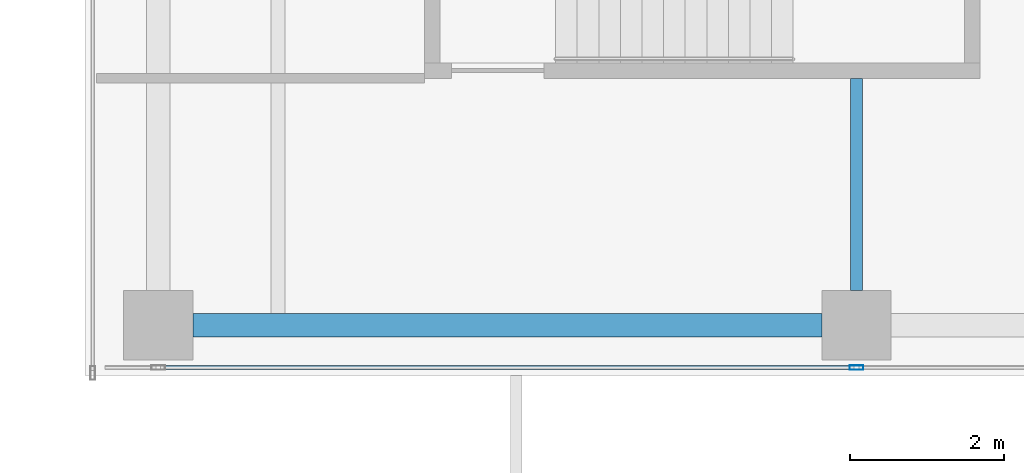
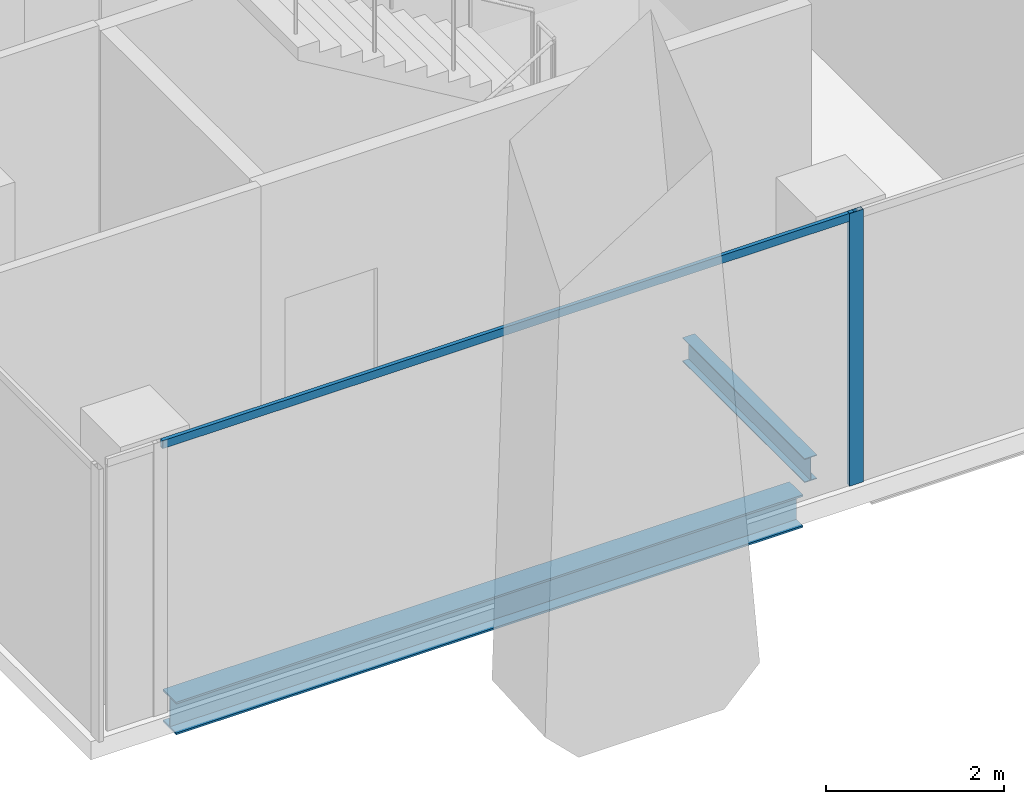
# One storey, part 3 of 36: 2 beams, 2 members, 1 element without a shape of its own.
"""IFC4 building model written with IfcOpenShell, lengths in metres."""

import ifcopenshell
import ifcopenshell.guid

model = None  # the IFC model being written
_history = None  # IfcOwnerHistory: only IFC2X3 demands one
_inside = {}  # id of a spatial element -> (the spatial element, [elements in it])
_under = {}  # id of a project, library or spatial element -> (it, [spatial elements below it])
_declared = {}  # id of a project -> (the project, [libraries it declares])
_typed = {}  # id of a type object -> (the type object, [elements of that type])
_made_of = {}  # id of a material, layer set ... -> (it, [elements and type objects made of it])


def new_model(schema):
    """Start an empty IFC model of exactly this schema.

    Asked for "IFC4X3", IfcOpenShell would pick the latest addendum, in which some entities
    have other attributes; the version numbers below select the first issue.
    IFC2X3 requires an IfcOwnerHistory on every rooted entity: one is made here for all.
    """
    global model, _history
    if schema == "IFC4X3":
        model = ifcopenshell.file(schema_version=(4, 3, 0, 0))
    else:
        model = ifcopenshell.file(schema=schema)
    _inside.clear()
    _under.clear()
    _declared.clear()
    _typed.clear()
    _made_of.clear()
    _history = None
    if model.schema == "IFC2X3":
        org = make("IfcOrganization", Name="unknown")
        user = make(
            "IfcPersonAndOrganization",
            ThePerson=make("IfcPerson", FamilyName="unknown"),
            TheOrganization=org,
        )
        app = make(
            "IfcApplication",
            ApplicationDeveloper=org,
            Version="unknown",
            ApplicationFullName="unknown",
            ApplicationIdentifier="unknown",
        )
        _history = make(
            "IfcOwnerHistory",
            OwningUser=user,
            OwningApplication=app,
            ChangeAction="ADDED",
            CreationDate=0,
        )
    return model


def make(cls, **values):
    """One entity of the class cls with the attributes given. An attribute that is None is left unset."""
    return model.create_entity(
        cls, **{name: value for name, value in values.items() if value is not None}
    )


def rooted(cls, **values):
    """An entity with a GlobalId (a new one), such as an element, a storey or a relation."""
    return make(cls, GlobalId=ifcopenshell.guid.new(), OwnerHistory=_history, **values)


def si_unit(unit_type, name, prefix=None):
    """IfcSIUnit, for example si_unit("LENGTHUNIT", "METRE", prefix="MILLI")."""
    return make("IfcSIUnit", UnitType=unit_type, Prefix=prefix, Name=name)


def assignment(units):
    """IfcUnitAssignment: the units of a project."""
    return None if units is None else make("IfcUnitAssignment", Units=units)


def point(xyz):
    """IfcCartesianPoint."""
    return None if xyz is None else make("IfcCartesianPoint", Coordinates=xyz)


def direction(xyz):
    """IfcDirection."""
    return None if xyz is None else make("IfcDirection", DirectionRatios=xyz)


def frame(location, z_axis=None, x_axis=None):
    """IfcAxis2Placement3D, a coordinate frame: its origin and axes. An axis left out is left unset."""
    return make(
        "IfcAxis2Placement3D",
        Location=point(location),
        Axis=direction(z_axis),
        RefDirection=direction(x_axis),
    )


def frame_2d(location, x_axis=None):
    """IfcAxis2Placement2D, a coordinate frame in the plane: its origin and x axis."""
    return make(
        "IfcAxis2Placement2D", Location=point(location), RefDirection=direction(x_axis)
    )


def origin():
    """The frame at (0, 0, 0) with its axes left unset."""
    return frame((0.0, 0.0, 0.0))


def origin_2d():
    """The frame at (0, 0) in the plane with its x axis left unset."""
    return frame_2d((0.0, 0.0))


def place(relative_to, where):
    """IfcLocalPlacement: puts the frame where relative to a parent placement (None: the world)."""
    return make(
        "IfcLocalPlacement", PlacementRelTo=relative_to, RelativePlacement=where
    )


def context(
    kind, dimensions, precision=None, world=None, true_north=None, identifier=None
):
    """IfcGeometricRepresentationContext, for example the 3D "Model" context."""
    return make(
        "IfcGeometricRepresentationContext",
        ContextIdentifier=identifier,
        ContextType=kind,
        CoordinateSpaceDimension=dimensions,
        Precision=precision,
        WorldCoordinateSystem=world,
        TrueNorth=true_north,
    )


def subcontext(parent, identifier, kind, view, scale=None):
    """IfcGeometricRepresentationSubContext, for example "Body" below "Model"."""
    return make(
        "IfcGeometricRepresentationSubContext",
        ContextIdentifier=identifier,
        ContextType=kind,
        ParentContext=parent,
        TargetScale=scale,
        TargetView=view,
    )


def project(units=None, contexts=None):
    """IfcProject with its units and contexts."""
    return rooted(
        "IfcProject",
        Name="project",
        RepresentationContexts=contexts,
        UnitsInContext=assignment(units),
    )


def spatial(cls, under=None, at=None, **own):
    """A site, building, storey or space (cls), placed at a placement, below another one or the project."""
    s = rooted(cls, ObjectPlacement=at, **own)
    if under is not None:
        _under.setdefault(under.id(), (under, []))[1].append(s)
    return s


def profile(cls, at=None, kind="AREA", **sizes):
    """A parametric profile (cls). Its sizes go by their IFC names, for example OverallWidth=200.0."""
    return make(cls, ProfileType=kind, Position=at, **sizes)


def hollow_rectangle(**sizes):
    """IfcRectangleHollowProfileDef."""
    return profile("IfcRectangleHollowProfileDef", **sizes)


def i_section(**sizes):
    """IfcIShapeProfileDef."""
    return profile("IfcIShapeProfileDef", **sizes)


def extrude(swept, where, along, depth):
    """IfcExtrudedAreaSolid: the profile swept, set in the frame where, extruded along a direction by depth."""
    return make(
        "IfcExtrudedAreaSolid",
        SweptArea=swept,
        Position=where,
        ExtrudedDirection=direction(along),
        Depth=depth,
    )


def shape(context_of_items, identifier, shape_type, items):
    """IfcShapeRepresentation: the items that make up one representation, for example the "Body"."""
    return make(
        "IfcShapeRepresentation",
        ContextOfItems=context_of_items,
        RepresentationIdentifier=identifier,
        RepresentationType=shape_type,
        Items=items,
    )


def source(mapping_origin, context_of_items, identifier, shape_type, items):
    """IfcRepresentationMap: a shape defined once, which mapped items show again and again."""
    return make(
        "IfcRepresentationMap",
        MappingOrigin=mapping_origin,
        MappedRepresentation=shape(context_of_items, identifier, shape_type, items),
    )


def transform(
    local_origin,
    x_axis=None,
    y_axis=None,
    z_axis=None,
    scale=None,
    scale2=None,
    scale3=None,
    uniform=True,
):
    """IfcCartesianTransformationOperator3D, or its non-uniform kind. x_axis, y_axis, z_axis: its Axis1, 2, 3."""
    if uniform:
        return make(
            "IfcCartesianTransformationOperator3D",
            Axis1=direction(x_axis),
            Axis2=direction(y_axis),
            LocalOrigin=point(local_origin),
            Scale=scale,
            Axis3=direction(z_axis),
        )
    return make(
        "IfcCartesianTransformationOperator3DnonUniform",
        Axis1=direction(x_axis),
        Axis2=direction(y_axis),
        LocalOrigin=point(local_origin),
        Scale=scale,
        Axis3=direction(z_axis),
        Scale2=scale2,
        Scale3=scale3,
    )


def mapped(mapping_source, mapping_target):
    """IfcMappedItem: shows the shape of a source again, moved by a transform."""
    return make(
        "IfcMappedItem", MappingSource=mapping_source, MappingTarget=mapping_target
    )


def material(Name=None, Category=None):
    """IfcMaterial."""
    return make("IfcMaterial", Name=Name, Category=Category)


def material_profile(
    of_material, cross_section, Name=None, Category=None, Priority=None
):
    """IfcMaterialProfile: a cross section and its material."""
    return make(
        "IfcMaterialProfile",
        Name=Name,
        Material=of_material,
        Profile=cross_section,
        Priority=Priority,
        Category=Category,
    )


def profile_set(profiles, Name=None, composite=None):
    """IfcMaterialProfileSet."""
    return make(
        "IfcMaterialProfileSet",
        Name=Name,
        MaterialProfiles=profiles,
        CompositeProfile=composite,
    )


def made_of(thing, what):
    """Note that an element or type object is made of a material, layer set ...; save() writes the relation."""
    if what is not None:
        _made_of.setdefault(what.id(), (what, []))[1].append(thing)
    return thing


def type_object(cls, material=None, **own):
    """A type object (cls), such as IfcWallType, which elements share."""
    return made_of(rooted(cls, **own), material)


def element(
    cls,
    number,
    at=None,
    inside=None,
    cuts=None,
    type_object=None,
    material=None,
    context=None,
    identifier="Body",
    shape_type=None,
    held_by="IfcProductDefinitionShape",
    body=None,
    shapes=None,
    **own,
):
    """One element of the class cls, such as IfcWall. Its Tag is "e" and its number.

    at: its placement. inside: the storey or other place that contains it. cuts: it is an
    opening in that element (IfcRelVoidsElement). A single representation is given by context,
    identifier, shape_type and body (its items); several are given by shapes. held_by: the class
    of the entity that holds the representations. save() writes the other relations.
    """
    e = rooted(cls, Tag="e%d" % number, ObjectPlacement=at, **own)
    if body is not None:
        shapes = [shape(context, identifier, shape_type, body)]
    if shapes is not None:
        e.Representation = make(held_by, Representations=shapes)
    if inside is not None:
        _inside.setdefault(inside.id(), (inside, []))[1].append(e)
    if cuts is not None:
        rooted(
            "IfcRelVoidsElement", RelatingBuildingElement=cuts, RelatedOpeningElement=e
        )
    if type_object is not None:
        _typed.setdefault(type_object.id(), (type_object, []))[1].append(e)
    return made_of(e, material)


def aggregate(whole, parts):
    """IfcRelAggregates: a whole, such as a stair, and the parts it consists of."""
    return rooted("IfcRelAggregates", RelatingObject=whole, RelatedObjects=parts)


def save(model, path):
    """Write the relations noted so far, then the file.

    IfcRelAggregates (storeys below a building ...), IfcRelContainedInSpatialStructure (elements
    in a storey), IfcRelDefinesByType, IfcRelAssociatesMaterial and IfcRelDeclares: one each for
    every whole, place, type object, material and project.
    """
    for whole, parts in _under.values():
        aggregate(whole, parts)
    for where, things in _inside.values():
        rooted(
            "IfcRelContainedInSpatialStructure",
            RelatedElements=things,
            RelatingStructure=where,
        )
    for kind, things in _typed.values():
        rooted("IfcRelDefinesByType", RelatedObjects=things, RelatingType=kind)
    for what, things in _made_of.values():
        rooted("IfcRelAssociatesMaterial", RelatedObjects=things, RelatingMaterial=what)
    for by, libraries in _declared.values():
        rooted("IfcRelDeclares", RelatingContext=by, RelatedDefinitions=libraries)
    model.write(path)


model = new_model("IFC4")

# Units and contexts
model_context = context("Model", 3, precision=1e-05, world=origin(), true_north=direction((0.0, 1.0)))
body_context = subcontext(model_context, "Body", "Model", "MODEL_VIEW")
ifc_project = project(units=[si_unit("LENGTHUNIT", "METRE"), si_unit("AREAUNIT", "SQUARE_METRE"), si_unit("VOLUMEUNIT", "CUBIC_METRE"), si_unit("PLANEANGLEUNIT", "RADIAN"), si_unit("MASSUNIT", "GRAM", prefix="KILO")], contexts=[model_context])

# Site, building, storey
site_placement = place(None, origin())
site = spatial("IfcSite", under=ifc_project, at=site_placement, CompositionType="ELEMENT")
building_placement = place(site_placement, origin())
building = spatial("IfcBuilding", under=site, at=building_placement, Name="Khomas Fold Tower", CompositionType="ELEMENT")
storey_placement = place(building_placement, frame((0.0, 0.0, 238.199951171875)))
storey = spatial("IfcBuildingStorey", under=building, at=storey_placement, Name="L53", CompositionType="ELEMENT", Elevation=238.199951171875)

# Beams
ifc_material_1 = material(Name="Steel S355", Category="steel")
ifc_material_profile_1 = material_profile(ifc_material_1, i_section(OverallWidth=0.159912109375, OverallDepth=0.330078125, WebThickness=0.007568359375, FlangeThickness=0.011474609375, at=origin_2d()), Name="IPE 330")
ifc_profile_set_1 = profile_set([ifc_material_profile_1], Name="Steel S355")
beam_type_1 = type_object("IfcBeamType", Name="IPE 330 beam JB1", PredefinedType="BEAM", material=ifc_profile_set_1)
shared_shape_1 = source(origin(), body_context, "Body", "SweptSolid", [
    extrude(i_section(OverallWidth=0.159912109375, OverallDepth=0.330078125, WebThickness=0.007568359375, FlangeThickness=0.011474609375, at=origin_2d()), origin(), (0.0, 0.0, 1.0), 2.75),
])
beam_1_placement = place(storey_placement, frame((19.5, 5.60009765625, -0.4150390625), z_axis=(0.0, 1.0, 0.0), x_axis=(-1.0, 0.0, 0.0)))
element("IfcBeam", 1, at=beam_1_placement, inside=storey, type_object=beam_type_1, Name="JB1", PredefinedType="BEAM", context=body_context, shape_type="MappedRepresentation", body=[
    mapped(shared_shape_1, transform((0.0, 0.0, 0.0))),
])
ifc_material_2 = material(Name="Steel S355", Category="steel")
ifc_material_profile_2 = material_profile(ifc_material_2, i_section(OverallWidth=0.300048828125, OverallDepth=0.449951171875, WebThickness=0.013916015625, FlangeThickness=0.02587890625, at=origin_2d()), Name="HE 450 B")
ifc_profile_set_2 = profile_set([ifc_material_profile_2], Name="Steel S355")
beam_type_2 = type_object("IfcBeamType", Name="HE 450 B spandrel SB4", PredefinedType="SPANDREL", material=ifc_profile_set_2)
shared_shape_2 = source(origin(), body_context, "Body", "SweptSolid", [
    extrude(i_section(OverallWidth=0.300048828125, OverallDepth=0.449951171875, WebThickness=0.013916015625, FlangeThickness=0.02587890625, at=origin_2d()), origin(), (0.0, 0.0, 1.0), 8.150146484375),
])
beam_2_placement = place(storey_placement, frame((10.89990234375, 5.14990234375, -0.474853515625), z_axis=(1.0, 0.0, 0.0), x_axis=(0.0, 1.0, 0.0)))
element("IfcBeam", 2, at=beam_2_placement, inside=storey, type_object=beam_type_2, Name="SB4", PredefinedType="SPANDREL", context=body_context, shape_type="MappedRepresentation", body=[
    mapped(shared_shape_2, transform((0.0, 0.0, 0.0))),
])

# Curtain wall, members
ifc_material_3 = material(Name="Aluminium framed double glazing", Category="aluminium")
curtain_wall_type = type_object("IfcCurtainWallType", Name="SK-Unitised clear-glass wall, office floors CW2", PredefinedType="NOTDEFINED", material=ifc_material_3)
curtain_wall_placement = place(storey_placement, origin())
curtain_wall = element("IfcCurtainWall", 3, at=curtain_wall_placement, inside=storey, type_object=curtain_wall_type, Name="CW2 run L53 00-0", PredefinedType="NOTDEFINED")
ifc_material_4 = material(Name="Aluminium", Category="aluminium")
ifc_material_profile_3 = material_profile(ifc_material_4, hollow_rectangle(XDim=0.06005859375, YDim=0.179931640625, WallThickness=0.00390625, at=origin_2d()), Name="SK-Unitised clear-glass wall, office floors mullion CW2-M")
ifc_profile_set_3 = profile_set([ifc_material_profile_3], Name="Aluminium")
member_type_1 = type_object("IfcMemberType", Name="SK-Unitised clear-glass wall, office floors mullion CW2-M", PredefinedType="MULLION", material=ifc_profile_set_3)
shared_shape_3 = source(origin(), body_context, "Body", "SweptSolid", [
    extrude(hollow_rectangle(XDim=0.06005859375, YDim=0.179931640625, WallThickness=0.00390625, at=origin_2d()), origin(), (0.0, 0.0, 1.0), 3.75),
])
member_1_placement = place(storey_placement, frame((19.5, 4.60009765625, 0.0), z_axis=(0.0, 0.0, 1.0), x_axis=(0.0, 1.0, 0.0)))
member_1 = element("IfcMember", 4, at=member_1_placement, type_object=member_type_1, Name="CW2 mullion 3", PredefinedType="MULLION", context=body_context, shape_type="MappedRepresentation", body=[
    mapped(shared_shape_3, transform((0.0, 0.0, 0.0))),
])
ifc_material_5 = material(Name="Aluminium", Category="aluminium")
ifc_material_profile_4 = material_profile(ifc_material_5, hollow_rectangle(XDim=0.050048828125, YDim=0.110107421875, WallThickness=0.00390625, at=origin_2d()), Name="SK-Unitised clear-glass wall, office floors transom CW2-T")
ifc_profile_set_4 = profile_set([ifc_material_profile_4], Name="Aluminium")
member_type_2 = type_object("IfcMemberType", Name="SK-Unitised clear-glass wall, office floors transom CW2-T", PredefinedType="USERDEFINED", material=ifc_profile_set_4)
shared_shape_4 = source(origin(), body_context, "Body", "SweptSolid", [
    extrude(hollow_rectangle(XDim=0.050048828125, YDim=0.110107421875, WallThickness=0.00390625, at=origin_2d()), origin(), (0.0, 0.0, 1.0), 8.989990234375),
])
member_2_placement = place(storey_placement, frame((10.47998046875, 4.60009765625, 3.695068359375), z_axis=(1.0, 0.0, 0.0), x_axis=(0.0, 1.0, 0.0)))
member_2 = element("IfcMember", 5, at=member_2_placement, type_object=member_type_2, Name="CW2 transom 2", ObjectType="TRANSOM", PredefinedType="USERDEFINED", context=body_context, shape_type="MappedRepresentation", body=[
    mapped(shared_shape_4, transform((0.0, 0.0, 0.0))),
])
aggregate(curtain_wall, [member_1, member_2])

save(model, "model.ifc")
